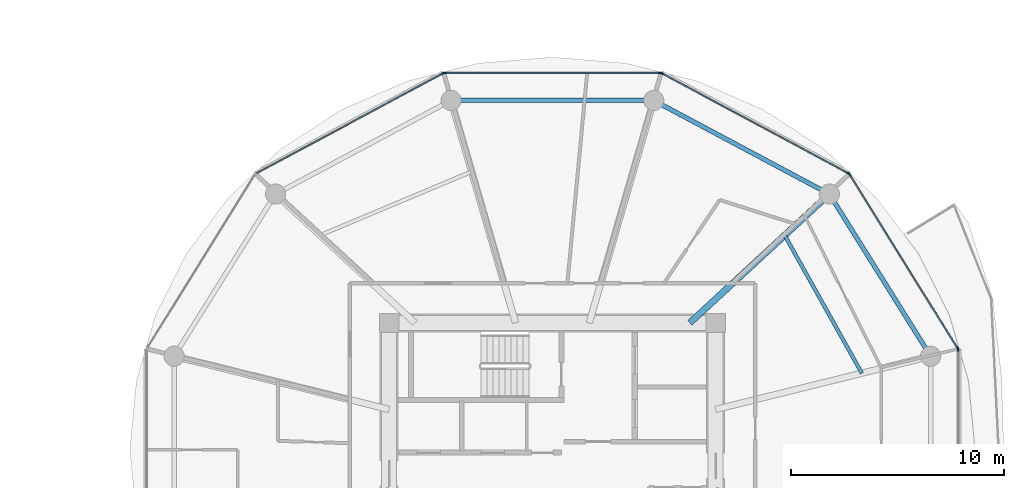
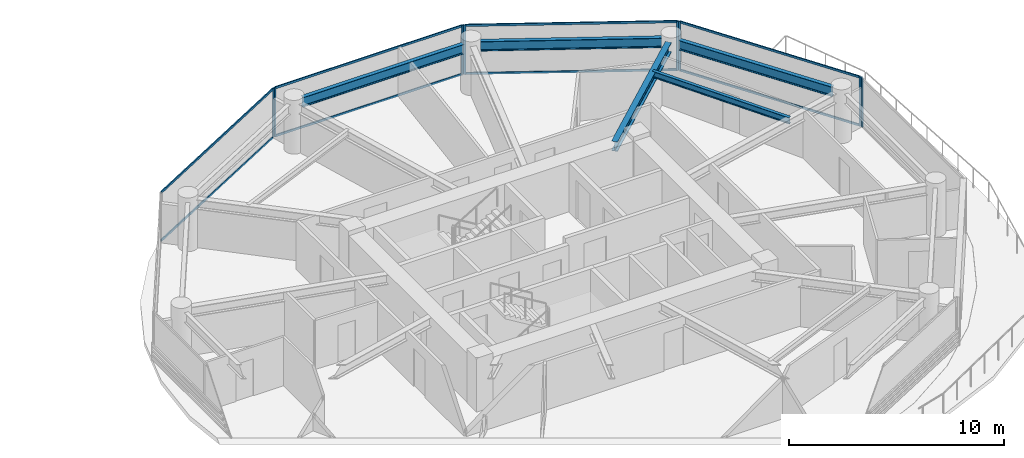
# One storey, part 13 of 27: 16 members, 5 beams, 5 elements without a shape of their own.
"""IFC4 building model written with IfcOpenShell, lengths in metres."""

from ifc_helpers import new_model, si_unit, direction, frame, origin, origin_2d, place, context, subcontext, project, spatial, rectangle, i_section, extrude, source, transform, mapped, material, layer, layer_set, material_profile, profile_set, type_object, type_shapes, element, aggregate, save


model = new_model("IFC4")

# Units and contexts
model_context = context("Model", 3, precision=1e-05, world=origin(), true_north=direction((0.0, 1.0)))
body_context = subcontext(model_context, "Body", "Model", "MODEL_VIEW")
ifc_project = project(units=[si_unit("LENGTHUNIT", "METRE"), si_unit("AREAUNIT", "SQUARE_METRE"), si_unit("VOLUMEUNIT", "CUBIC_METRE"), si_unit("PLANEANGLEUNIT", "RADIAN"), si_unit("MASSUNIT", "GRAM", prefix="KILO")], contexts=[model_context])

# Site, building, storey
site_placement = place(None, origin())
site = spatial("IfcSite", under=ifc_project, at=site_placement, CompositionType="ELEMENT")
building_placement = place(site_placement, origin())
building = spatial("IfcBuilding", under=site, at=building_placement, Name="Norrkilde Senior Care Towers", CompositionType="ELEMENT")
storey_placement = place(building_placement, frame((0.0, 0.0, 33.800048828125)))
storey = spatial("IfcBuildingStorey", under=building, at=storey_placement, Name="L09", CompositionType="ELEMENT", Elevation=33.800048828125)

# Beams
ifc_material_1 = material(Name="Steel S355", Category="steel")
ifc_material_profile_1 = material_profile(ifc_material_1, i_section(OverallWidth=0.2099609375, OverallDepth=0.550048828125, WebThickness=0.010986328125, FlangeThickness=0.01708984375, FilletRadius=0.02392578125, at=origin_2d()), Name="IPE 550")
ifc_profile_set_1 = profile_set([ifc_material_profile_1], Name="Steel S355")
beam_type_1 = type_object("IfcBeamType", Name="Perimeter Ring Spandrel Z1 IPE550", PredefinedType="SPANDREL", material=ifc_profile_set_1)
shared_shape_1 = source(origin(), body_context, "Body", "SweptSolid", [
    extrude(i_section(OverallWidth=0.2099609375, OverallDepth=0.550048828125, WebThickness=0.010986328125, FlangeThickness=0.01708984375, FilletRadius=0.02392578125, at=origin_2d()), origin(), (0.0, 0.0, 1.0), 8.090576171875),
])
beam_1_placement = place(storey_placement, frame((45.494140625, 4.755859375, 2.514892578125), z_axis=(-0.530004364821, 0.84799491347, 0.0), x_axis=(-0.84799491347, -0.530004364821, 0.0)))
element("IfcBeam", 1, at=beam_1_placement, inside=storey, type_object=beam_type_1, Name="L09 Drum E Perimeter Spandrel 01", PredefinedType="SPANDREL", context=body_context, shape_type="MappedRepresentation", body=[
    mapped(shared_shape_1, transform((0.0, 0.0, 0.0), x_axis=(1.0, 0.0, 0.0), y_axis=(0.0, 1.0, 0.0), z_axis=(0.0, 0.0, 1.0), scale=1.0)),
])
shared_shape_2 = source(origin(), body_context, "Body", "SweptSolid", [
    extrude(i_section(OverallWidth=0.2099609375, OverallDepth=0.550048828125, WebThickness=0.010986328125, FlangeThickness=0.01708984375, FilletRadius=0.02392578125, at=origin_2d()), origin(), (0.0, 0.0, 1.0), 8.452880859375),
])
beam_2_placement = place(storey_placement, frame((40.591552734375, 12.190185546875, 2.514892578125), z_axis=(-0.882368931134, 0.470558252898, 0.0), x_axis=(-0.470558252898, -0.882368931134, 0.0)))
element("IfcBeam", 2, at=beam_2_placement, inside=storey, type_object=beam_type_1, Name="L09 Drum E Perimeter Spandrel 02", PredefinedType="SPANDREL", context=body_context, shape_type="MappedRepresentation", body=[
    mapped(shared_shape_2, transform((0.0, 0.0, 0.0), x_axis=(1.0, 0.0, 0.0), y_axis=(0.0, 1.0, 0.0), z_axis=(0.0, 0.0, 1.0), scale=1.0)),
])
ifc_material_profile_2 = material_profile(ifc_material_1, i_section(OverallWidth=0.300048828125, OverallDepth=0.550048828125, WebThickness=0.014892578125, FlangeThickness=0.029052734375, FilletRadius=0.027099609375, at=origin_2d()), Name="HEB 550")
ifc_profile_set_2 = profile_set([ifc_material_profile_2], Name="Steel S355")
beam_type_2 = type_object("IfcBeamType", Name="Radial Floor Beam Z1 HEB550", PredefinedType="BEAM", material=ifc_profile_set_2)
shared_shape_3 = source(origin(), body_context, "Body", "SweptSolid", [
    extrude(i_section(OverallWidth=0.300048828125, OverallDepth=0.550048828125, WebThickness=0.014892578125, FlangeThickness=0.029052734375, FilletRadius=0.027099609375, at=origin_2d()), origin(), (0.0, 0.0, 1.0), 8.459716796875),
])
type_shapes(beam_type_2, [shared_shape_3])
beam_3_placement = place(storey_placement, frame((34.44140625, 5.949951171875, 2.514892578125), z_axis=(0.734573269108, 0.678529374686, 0.0), x_axis=(-0.678529374686, 0.734573269108, 0.0)))
element("IfcBeam", 3, at=beam_3_placement, inside=storey, type_object=beam_type_2, Name="L09 Drum E Radial Floor Beam 02", PredefinedType="BEAM", context=body_context, shape_type="MappedRepresentation", body=[
    mapped(shared_shape_3, transform((0.0, 0.0, 0.0), x_axis=(1.0, 0.0, 0.0), y_axis=(0.0, 1.0, 0.0), z_axis=(0.0, 0.0, 1.0), scale=1.0)),
])
shared_shape_4 = source(origin(), body_context, "Body", "SweptSolid", [
    extrude(i_section(OverallWidth=0.2099609375, OverallDepth=0.550048828125, WebThickness=0.010986328125, FlangeThickness=0.01708984375, FilletRadius=0.02392578125, at=origin_2d()), origin(), (0.0, 0.0, 1.0), 8.62841796875),
])
type_shapes(beam_type_1, [shared_shape_1, shared_shape_2, shared_shape_4])
beam_4_placement = place(storey_placement, frame((32.314208984375, 16.37255859375, 2.514892578125), z_axis=(-1.0, 0.0, 0.0), x_axis=(0.0, -1.0, 0.0)))
element("IfcBeam", 4, at=beam_4_placement, inside=storey, type_object=beam_type_1, Name="L09 Drum E Perimeter Spandrel 03", PredefinedType="SPANDREL", context=body_context, shape_type="MappedRepresentation", body=[
    mapped(shared_shape_4, transform((0.0, 0.0, 0.0), x_axis=(1.0, 0.0, 0.0), y_axis=(0.0, 1.0, 0.0), z_axis=(0.0, 0.0, 1.0), scale=1.0)),
])
ifc_material_profile_3 = material_profile(ifc_material_1, i_section(OverallWidth=0.169921875, OverallDepth=0.360107421875, WebThickness=0.008056640625, FlangeThickness=0.0126953125, FilletRadius=0.01806640625, at=origin_2d()), Name="IPE 360")
ifc_profile_set_3 = profile_set([ifc_material_profile_3], Name="Steel S355")
beam_type_3 = type_object("IfcBeamType", Name="Secondary Floor Joist IPE360", PredefinedType="JOIST", material=ifc_profile_set_3)
shared_shape_5 = source(origin(), body_context, "Body", "SweptSolid", [
    extrude(i_section(OverallWidth=0.169921875, OverallDepth=0.360107421875, WebThickness=0.008056640625, FlangeThickness=0.0126953125, FilletRadius=0.01806640625, at=origin_2d()), origin(), (0.0, 0.0, 1.0), 7.40771484375),
])
type_shapes(beam_type_3, [shared_shape_5])
beam_5_placement = place(storey_placement, frame((42.500732421875, 3.589111328125, 2.60986328125), z_axis=(-0.488167754092, 0.872749817453, 0.0), x_axis=(-0.872749817453, -0.488167754092, 0.0)))
element("IfcBeam", 5, at=beam_5_placement, inside=storey, type_object=beam_type_3, Name="L09 Drum E Secondary Floor Joist 1", PredefinedType="JOIST", context=body_context, shape_type="MappedRepresentation", body=[
    mapped(shared_shape_5, transform((0.0, 0.0, 0.0), x_axis=(1.0, 0.0, 0.0), y_axis=(0.0, 1.0, 0.0), z_axis=(0.0, 0.0, 1.0), scale=1.0)),
])

# Curtain wall, members
ifc_material_2 = material(Name="Triple Low-E Insulated Glazing", Category="glass")
ifc_layer = layer(ifc_material_2, 0.199951171875)
ifc_layer_set = layer_set([ifc_layer], Name="Triple Low-E Insulated Glazing")
curtain_wall_type = type_object("IfcCurtainWallType", Name="CW2 Zone 1 Memory Care Curtain Wall", PredefinedType="NOTDEFINED", material=ifc_layer_set)
curtain_wall_1_placement = place(storey_placement, origin())
curtain_wall_1 = element("IfcCurtainWall", 6, at=curtain_wall_1_placement, inside=storey, type_object=curtain_wall_type, Name="L09 Drum E Curtain Wall 00", PredefinedType="NOTDEFINED")
ifc_material_3 = material(Name="Anodised Aluminium", Category="aluminium")
ifc_material_profile_4 = material_profile(ifc_material_3, rectangle(XDim=0.06494140625, YDim=0.159912109375, at=origin_2d()), Name="ALU MULL 65x160")
ifc_profile_set_4 = profile_set([ifc_material_profile_4], Name="Anodised Aluminium")
member_type_1 = type_object("IfcMemberType", Name="Curtain Wall Mullion Z1-Z2 65x160", PredefinedType="MULLION", material=ifc_profile_set_4)
shared_shape_6 = source(origin(), body_context, "Body", "SweptSolid", [
    extrude(rectangle(XDim=0.06494140625, YDim=0.159912109375, at=origin_2d()), origin(), (0.0, 0.0, 1.0), 2.7900390625),
])
type_shapes(member_type_1, [shared_shape_6])
member_1_placement = place(storey_placement, frame((41.93310546875, 12.898193359375, 0.0), z_axis=(0.0, 0.0, 1.0), x_axis=(0.849305943117, 0.527900951871, 0.0)))
member_1 = element("IfcMember", 7, at=member_1_placement, type_object=member_type_1, Name="CW-2 mullion 1", PredefinedType="MULLION", context=body_context, shape_type="MappedRepresentation", body=[
    mapped(shared_shape_6, transform((0.0, 0.0, 0.0), x_axis=(1.0, 0.0, 0.0), y_axis=(0.0, 1.0, 0.0), z_axis=(0.0, 0.0, 1.0), scale=1.0)),
])
member_2_placement = place(storey_placement, frame((46.9921875, 4.7587890625, 0.0), z_axis=(0.0, 0.0, 1.0), x_axis=(0.849305943117, 0.527900951871, 0.0)))
member_2 = element("IfcMember", 8, at=member_2_placement, type_object=member_type_1, Name="CW-2 mullion 2", PredefinedType="MULLION", context=body_context, shape_type="MappedRepresentation", body=[
    mapped(shared_shape_6, transform((0.0, 0.0, 0.0), x_axis=(1.0, 0.0, 0.0), y_axis=(0.0, 1.0, 0.0), z_axis=(0.0, 0.0, 1.0), scale=1.0)),
])

curtain_wall_2_placement = place(storey_placement, origin())
curtain_wall_2 = element("IfcCurtainWall", 9, at=curtain_wall_2_placement, inside=storey, type_object=curtain_wall_type, Name="L09 Drum E Curtain Wall 01", PredefinedType="NOTDEFINED")
member_3_placement = place(storey_placement, frame((33.122314453125, 17.641845703125, 0.0), z_axis=(0.0, 0.0, 1.0), x_axis=(0.472607802456, 0.881272866403, 0.0)))
member_3 = element("IfcMember", 10, at=member_3_placement, type_object=member_type_1, Name="CW-2 mullion 1", PredefinedType="MULLION", context=body_context, shape_type="MappedRepresentation", body=[
    mapped(shared_shape_6, transform((0.0, 0.0, 0.0), x_axis=(1.0, 0.0, 0.0), y_axis=(0.0, 1.0, 0.0), z_axis=(0.0, 0.0, 1.0), scale=1.0)),
])
member_4_placement = place(storey_placement, frame((41.88720703125, 12.941162109375, 0.0), z_axis=(0.0, 0.0, 1.0), x_axis=(0.472607802456, 0.881272866403, 0.0)))
member_4 = element("IfcMember", 11, at=member_4_placement, type_object=member_type_1, Name="CW-2 mullion 2", PredefinedType="MULLION", context=body_context, shape_type="MappedRepresentation", body=[
    mapped(shared_shape_6, transform((0.0, 0.0, 0.0), x_axis=(1.0, 0.0, 0.0), y_axis=(0.0, 1.0, 0.0), z_axis=(0.0, 0.0, 1.0), scale=1.0)),
])

curtain_wall_3_placement = place(storey_placement, origin())
curtain_wall_3 = element("IfcCurtainWall", 12, at=curtain_wall_3_placement, inside=storey, type_object=curtain_wall_type, Name="L09 Drum E Curtain Wall 02", PredefinedType="NOTDEFINED")
member_5_placement = place(storey_placement, frame((22.93896484375, 17.6572265625, 0.0), z_axis=(0.0, 0.0, 1.0), x_axis=(0.0, 1.0, 0.0)))
member_5 = element("IfcMember", 13, at=member_5_placement, type_object=member_type_1, Name="CW-2 mullion 1", PredefinedType="MULLION", context=body_context, shape_type="MappedRepresentation", body=[
    mapped(shared_shape_6, transform((0.0, 0.0, 0.0), x_axis=(1.0, 0.0, 0.0), y_axis=(0.0, 1.0, 0.0), z_axis=(0.0, 0.0, 1.0), scale=1.0)),
])
member_6_placement = place(storey_placement, frame((33.06103515625, 17.6572265625, 0.0), z_axis=(0.0, 0.0, 1.0), x_axis=(0.0, 1.0, 0.0)))
member_6 = element("IfcMember", 14, at=member_6_placement, type_object=member_type_1, Name="CW-2 mullion 2", PredefinedType="MULLION", context=body_context, shape_type="MappedRepresentation", body=[
    mapped(shared_shape_6, transform((0.0, 0.0, 0.0), x_axis=(1.0, 0.0, 0.0), y_axis=(0.0, 1.0, 0.0), z_axis=(0.0, 0.0, 1.0), scale=1.0)),
])

# Curtain wall, member
curtain_wall_4_placement = place(storey_placement, origin())
curtain_wall_4 = element("IfcCurtainWall", 15, at=curtain_wall_4_placement, inside=storey, type_object=curtain_wall_type, Name="L09 Drum E Curtain Wall 03", PredefinedType="NOTDEFINED")
member_7_placement = place(storey_placement, frame((22.877685546875, 17.641845703125, 0.0), z_axis=(0.0, 0.0, 1.0), x_axis=(-0.472607802456, 0.881272866403, 0.0)))
member_7 = element("IfcMember", 16, at=member_7_placement, type_object=member_type_1, Name="CW-2 mullion 2", PredefinedType="MULLION", context=body_context, shape_type="MappedRepresentation", body=[
    mapped(shared_shape_6, transform((0.0, 0.0, 0.0), x_axis=(1.0, 0.0, 0.0), y_axis=(0.0, 1.0, 0.0), z_axis=(0.0, 0.0, 1.0), scale=1.0)),
])

curtain_wall_5_placement = place(storey_placement, origin())
curtain_wall_5 = element("IfcCurtainWall", 17, at=curtain_wall_5_placement, inside=storey, type_object=curtain_wall_type, Name="L09 Drum E Curtain Wall 11", PredefinedType="NOTDEFINED")
member_8_placement = place(storey_placement, frame((47.009521484375, 4.69873046875, 0.0), z_axis=(0.0, 0.0, 1.0), x_axis=(1.0, 0.0, 0.0)))
member_8 = element("IfcMember", 18, at=member_8_placement, type_object=member_type_1, Name="CW-2 mullion 1", PredefinedType="MULLION", context=body_context, shape_type="MappedRepresentation", body=[
    mapped(shared_shape_6, transform((0.0, 0.0, 0.0), x_axis=(1.0, 0.0, 0.0), y_axis=(0.0, 1.0, 0.0), z_axis=(0.0, 0.0, 1.0), scale=1.0)),
])
aggregate(curtain_wall_5, [member_8])

# Member
ifc_material_profile_5 = material_profile(ifc_material_3, rectangle(XDim=0.06005859375, YDim=0.1201171875, at=origin_2d()), Name="ALU TRAN 60x120")
ifc_profile_set_5 = profile_set([ifc_material_profile_5], Name="Anodised Aluminium")
member_type_2 = type_object("IfcMemberType", Name="Curtain Wall Transom Typical 60x120", PredefinedType="USERDEFINED", material=ifc_profile_set_5)
shared_shape_7 = source(origin(), body_context, "Body", "SweptSolid", [
    extrude(rectangle(XDim=0.06005859375, YDim=0.1201171875, at=origin_2d()), origin(), (0.0, 0.0, 1.0), 9.5185546875),
])
member_9_placement = place(storey_placement, frame((41.9501953125, 12.87060546875, 0.030029296875), z_axis=(0.527901620669, -0.849305527413, 0.0), x_axis=(0.849305527413, 0.527901620669, 0.0)))
member_9 = element("IfcMember", 19, at=member_9_placement, type_object=member_type_2, Name="CW-2 transom 1.1", ObjectType="TRANSOM", PredefinedType="USERDEFINED", context=body_context, shape_type="MappedRepresentation", body=[
    mapped(shared_shape_7, transform((0.0, 0.0, 0.0), x_axis=(1.0, 0.0, 0.0), y_axis=(0.0, 1.0, 0.0), z_axis=(0.0, 0.0, 1.0), scale=1.0)),
])

member_10_placement = place(storey_placement, frame((41.9501953125, 12.87060546875, 2.760009765625), z_axis=(0.527901620669, -0.849305527413, 0.0), x_axis=(0.849305527413, 0.527901620669, 0.0)))
member_10 = element("IfcMember", 20, at=member_10_placement, type_object=member_type_2, Name="CW-2 transom 1.2", ObjectType="TRANSOM", PredefinedType="USERDEFINED", context=body_context, shape_type="MappedRepresentation", body=[
    mapped(shared_shape_7, transform((0.0, 0.0, 0.0), x_axis=(1.0, 0.0, 0.0), y_axis=(0.0, 1.0, 0.0), z_axis=(0.0, 0.0, 1.0), scale=1.0)),
])

aggregate(curtain_wall_1, [member_1, member_2, member_9, member_10])

shared_shape_8 = source(origin(), body_context, "Body", "SweptSolid", [
    extrude(rectangle(XDim=0.06005859375, YDim=0.1201171875, at=origin_2d()), origin(), (0.0, 0.0, 1.0), 9.880859375),
])
member_11_placement = place(storey_placement, frame((33.15087890625, 17.62646484375, 0.030029296875), z_axis=(0.881267204043, -0.47261836092, 0.0), x_axis=(0.47261836092, 0.881267204043, 0.0)))
member_11 = element("IfcMember", 21, at=member_11_placement, type_object=member_type_2, Name="CW-2 transom 1.1", ObjectType="TRANSOM", PredefinedType="USERDEFINED", context=body_context, shape_type="MappedRepresentation", body=[
    mapped(shared_shape_8, transform((0.0, 0.0, 0.0), x_axis=(1.0, 0.0, 0.0), y_axis=(0.0, 1.0, 0.0), z_axis=(0.0, 0.0, 1.0), scale=1.0)),
])

member_12_placement = place(storey_placement, frame((33.15087890625, 17.62646484375, 2.760009765625), z_axis=(0.881267204043, -0.47261836092, 0.0), x_axis=(0.47261836092, 0.881267204043, 0.0)))
member_12 = element("IfcMember", 22, at=member_12_placement, type_object=member_type_2, Name="CW-2 transom 1.2", ObjectType="TRANSOM", PredefinedType="USERDEFINED", context=body_context, shape_type="MappedRepresentation", body=[
    mapped(shared_shape_8, transform((0.0, 0.0, 0.0), x_axis=(1.0, 0.0, 0.0), y_axis=(0.0, 1.0, 0.0), z_axis=(0.0, 0.0, 1.0), scale=1.0)),
])

aggregate(curtain_wall_2, [member_3, member_4, member_11, member_12])

member_13_placement = place(storey_placement, frame((14.141357421875, 12.95654296875, 0.030029296875), z_axis=(0.881267204043, 0.47261836092, 0.0), x_axis=(-0.47261836092, 0.881267204043, 0.0)))
member_13 = element("IfcMember", 23, at=member_13_placement, type_object=member_type_2, Name="CW-2 transom 1.1", ObjectType="TRANSOM", PredefinedType="USERDEFINED", context=body_context, shape_type="MappedRepresentation", body=[
    mapped(shared_shape_8, transform((0.0, 0.0, 0.0), x_axis=(1.0, 0.0, 0.0), y_axis=(0.0, 1.0, 0.0), z_axis=(0.0, 0.0, 1.0), scale=1.0)),
])

member_14_placement = place(storey_placement, frame((14.141357421875, 12.95654296875, 2.760009765625), z_axis=(0.881267204043, 0.47261836092, 0.0), x_axis=(-0.47261836092, 0.881267204043, 0.0)))
member_14 = element("IfcMember", 24, at=member_14_placement, type_object=member_type_2, Name="CW-2 transom 1.2", ObjectType="TRANSOM", PredefinedType="USERDEFINED", context=body_context, shape_type="MappedRepresentation", body=[
    mapped(shared_shape_8, transform((0.0, 0.0, 0.0), x_axis=(1.0, 0.0, 0.0), y_axis=(0.0, 1.0, 0.0), z_axis=(0.0, 0.0, 1.0), scale=1.0)),
])

aggregate(curtain_wall_4, [member_7, member_13, member_14])

shared_shape_9 = source(origin(), body_context, "Body", "SweptSolid", [
    extrude(rectangle(XDim=0.06005859375, YDim=0.1201171875, at=origin_2d()), origin(), (0.0, 0.0, 1.0), 10.05712890625),
])
type_shapes(member_type_2, [shared_shape_7, shared_shape_8, shared_shape_9])
member_15_placement = place(storey_placement, frame((22.971435546875, 17.6572265625, 0.030029296875), z_axis=(1.0, 0.0, 0.0), x_axis=(0.0, 1.0, 0.0)))
member_15 = element("IfcMember", 25, at=member_15_placement, type_object=member_type_2, Name="CW-2 transom 1.1", ObjectType="TRANSOM", PredefinedType="USERDEFINED", context=body_context, shape_type="MappedRepresentation", body=[
    mapped(shared_shape_9, transform((0.0, 0.0, 0.0), x_axis=(1.0, 0.0, 0.0), y_axis=(0.0, 1.0, 0.0), z_axis=(0.0, 0.0, 1.0), scale=1.0)),
])

member_16_placement = place(storey_placement, frame((22.971435546875, 17.6572265625, 2.760009765625), z_axis=(1.0, 0.0, 0.0), x_axis=(0.0, 1.0, 0.0)))
member_16 = element("IfcMember", 26, at=member_16_placement, type_object=member_type_2, Name="CW-2 transom 1.2", ObjectType="TRANSOM", PredefinedType="USERDEFINED", context=body_context, shape_type="MappedRepresentation", body=[
    mapped(shared_shape_9, transform((0.0, 0.0, 0.0), x_axis=(1.0, 0.0, 0.0), y_axis=(0.0, 1.0, 0.0), z_axis=(0.0, 0.0, 1.0), scale=1.0)),
])

aggregate(curtain_wall_3, [member_5, member_6, member_15, member_16])

save(model, "model.ifc")
